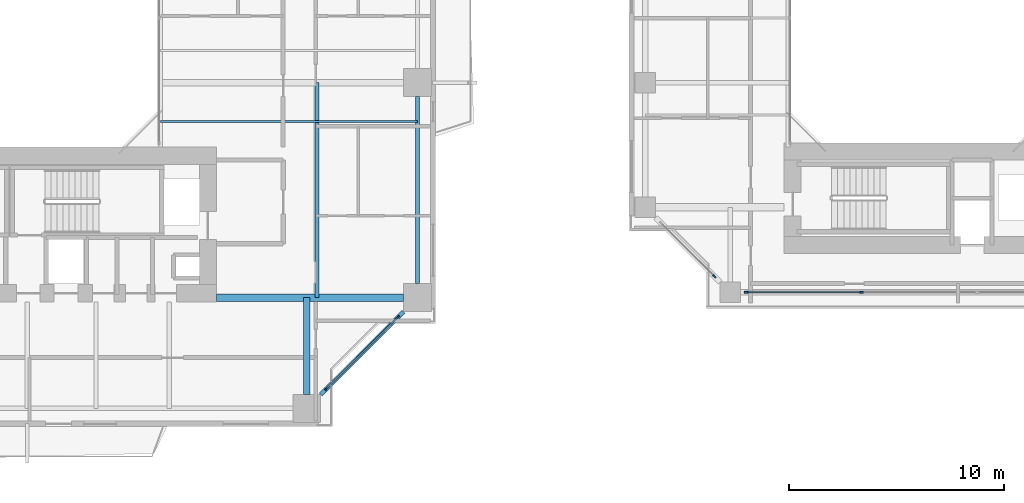
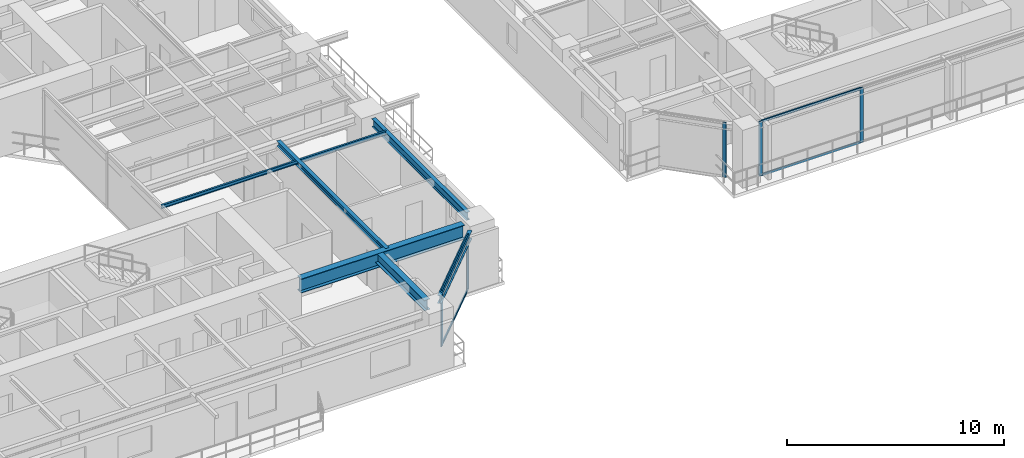
# One storey, part 5 of 23: 9 members, 6 beams, 3 elements without a shape of their own.
"""IFC4 building model written with IfcOpenShell, lengths in metres."""

from ifc_helpers import new_model, si_unit, direction, frame, origin, origin_2d, place, context, subcontext, project, spatial, rectangle, i_section, extrude, source, transform, mapped, material, layer, layer_set, material_profile, profile_set, type_object, element, aggregate, save


model = new_model("IFC4")

# Units and contexts
model_context = context("Model", 3, precision=1e-05, world=origin(), true_north=direction((0.0, 1.0)))
body_context = subcontext(model_context, "Body", "Model", "MODEL_VIEW")
ifc_project = project(units=[si_unit("LENGTHUNIT", "METRE"), si_unit("AREAUNIT", "SQUARE_METRE"), si_unit("VOLUMEUNIT", "CUBIC_METRE"), si_unit("PLANEANGLEUNIT", "RADIAN"), si_unit("MASSUNIT", "GRAM", prefix="KILO"), si_unit("THERMODYNAMICTEMPERATUREUNIT", "KELVIN"), si_unit("POWERUNIT", "WATT")], contexts=[model_context])

# Site, building, storey
site_placement = place(None, origin())
site = spatial("IfcSite", under=ifc_project, at=site_placement, CompositionType="ELEMENT")
building_placement = place(site_placement, origin())
building = spatial("IfcBuilding", under=site, at=building_placement, Name="Qiaomeng Ring Towers", CompositionType="ELEMENT")
storey_placement = place(building_placement, frame((0.0, 0.0, 32.75)))
storey = spatial("IfcBuildingStorey", under=building, at=storey_placement, Name="L08", CompositionType="ELEMENT", Elevation=32.75)

# Beams
ifc_material_1 = material(Name="Steel Q355B", Category="steel")
ifc_material_profile_1 = material_profile(ifc_material_1, i_section(OverallWidth=0.199951171875, OverallDepth=0.449951171875, WebThickness=0.009033203125, FlangeThickness=0.013916015625, FilletRadius=0.01806640625, at=origin_2d()), Name="HN 450x200x9x14")
ifc_profile_set_1 = profile_set([ifc_material_profile_1], Name="Steel Q355B")
beam_type_1 = type_object("IfcBeamType", Name="STR-BM-HN450", PredefinedType="SPANDREL", material=ifc_profile_set_1)
shared_shape_1 = source(origin(), body_context, "Body", "SweptSolid", [
    extrude(i_section(OverallWidth=0.199951171875, OverallDepth=0.449951171875, WebThickness=0.009033203125, FlangeThickness=0.013916015625, FilletRadius=0.01806640625, at=origin_2d()), origin(), (0.0, 0.0, 1.0), 5.446533203125),
])
beam_1_placement = place(storey_placement, frame((32.6494140625, 5.499267578125, 2.844970703125), z_axis=(0.707106781187, 0.707106781187, 0.0), x_axis=(-0.707106781187, 0.707106781187, 0.0)))
element("IfcBeam", 1, at=beam_1_placement, inside=storey, type_object=beam_type_1, Name="L08 beam STR-SP-L08-T1-S2-E1", PredefinedType="SPANDREL", context=body_context, shape_type="MappedRepresentation", body=[
    mapped(shared_shape_1, transform((0.0, 0.0, 0.0), x_axis=(1.0, 0.0, 0.0), y_axis=(0.0, 1.0, 0.0), z_axis=(0.0, 0.0, 1.0), scale=1.0)),
])
shared_shape_2 = source(origin(), body_context, "Body", "SweptSolid", [
    extrude(i_section(OverallWidth=0.199951171875, OverallDepth=0.449951171875, WebThickness=0.009033203125, FlangeThickness=0.013916015625, FilletRadius=0.01806640625, at=origin_2d()), origin(), (0.0, 0.0, 1.0), 8.7021484375),
])
beam_2_placement = place(storey_placement, frame((37.14990234375, 10.64892578125, 2.844970703125), z_axis=(0.0, 1.0, 0.0), x_axis=(-1.0, 0.0, 0.0)))
element("IfcBeam", 2, at=beam_2_placement, inside=storey, type_object=beam_type_1, Name="L08 beam STR-SP-L08-T1-E1-E2", PredefinedType="SPANDREL", context=body_context, shape_type="MappedRepresentation", body=[
    mapped(shared_shape_2, transform((0.0, 0.0, 0.0), x_axis=(1.0, 0.0, 0.0), y_axis=(0.0, 1.0, 0.0), z_axis=(0.0, 0.0, 1.0), scale=1.0)),
])
ifc_material_2 = material(Name="Steel Q390GJC", Category="steel")
ifc_material_profile_2 = material_profile(ifc_material_2, i_section(OverallWidth=0.35009765625, OverallDepth=0.800048828125, WebThickness=0.01611328125, FlangeThickness=0.028076171875, at=origin_2d()), Name="WH 800x350x16x28")
ifc_profile_set_2 = profile_set([ifc_material_profile_2], Name="Steel Q390GJC")
beam_type_2 = type_object("IfcBeamType", Name="STR-BM-WH800", PredefinedType="BEAM", material=ifc_profile_set_2)
shared_shape_3 = source(origin(), body_context, "Body", "SweptSolid", [
    extrude(i_section(OverallWidth=0.35009765625, OverallDepth=0.800048828125, WebThickness=0.01611328125, FlangeThickness=0.028076171875, at=origin_2d()), origin(), (0.0, 0.0, 1.0), 8.700927734375),
])
beam_3_placement = place(storey_placement, frame((27.800048828125, 10.0, 2.669921875), z_axis=(1.0, 0.0, 0.0), x_axis=(0.0, 1.0, 0.0)))
element("IfcBeam", 3, at=beam_3_placement, inside=storey, type_object=beam_type_2, Name="L08 beam STR-BM-L08-T1-RAD-E1", PredefinedType="BEAM", context=body_context, shape_type="MappedRepresentation", body=[
    mapped(shared_shape_3, transform((0.0, 0.0, 0.0), x_axis=(1.0, 0.0, 0.0), y_axis=(0.0, 1.0, 0.0), z_axis=(0.0, 0.0, 1.0), scale=1.0)),
])
ifc_material_profile_3 = material_profile(ifc_material_1, i_section(OverallWidth=0.300048828125, OverallDepth=0.587890625, WebThickness=0.011962890625, FlangeThickness=0.02001953125, FilletRadius=0.028076171875, at=origin_2d()), Name="HM 588x300x12x20")
ifc_profile_set_3 = profile_set([ifc_material_profile_3], Name="Steel Q355B")
beam_type_3 = type_object("IfcBeamType", Name="STR-BM-HM588", PredefinedType="BEAM", material=ifc_profile_set_3)
shared_shape_4 = source(origin(), body_context, "Body", "SweptSolid", [
    extrude(i_section(OverallWidth=0.300048828125, OverallDepth=0.587890625, WebThickness=0.011962890625, FlangeThickness=0.02001953125, FilletRadius=0.028076171875, at=origin_2d()), origin(), (0.0, 0.0, 1.0), 4.5009765625),
])
beam_4_placement = place(storey_placement, frame((32.0, 5.4990234375, 2.77587890625), z_axis=(0.0, 1.0, 0.0), x_axis=(-1.0, 0.0, 0.0)))
element("IfcBeam", 4, at=beam_4_placement, inside=storey, type_object=beam_type_3, Name="L08 beam STR-BM-L08-T1-RAD-S2", PredefinedType="BEAM", context=body_context, shape_type="MappedRepresentation", body=[
    mapped(shared_shape_4, transform((0.0, 0.0, 0.0), x_axis=(1.0, 0.0, 0.0), y_axis=(0.0, 1.0, 0.0), z_axis=(0.0, 0.0, 1.0), scale=1.0)),
])
ifc_material_profile_4 = material_profile(ifc_material_1, i_section(OverallWidth=0.10009765625, OverallDepth=0.199951171875, WebThickness=0.005615234375, FlangeThickness=0.008056640625, FilletRadius=0.010986328125, at=origin_2d()), Name="HN 200x100x5.5x8")
ifc_profile_set_4 = profile_set([ifc_material_profile_4], Name="Steel Q355B")
beam_type_4 = type_object("IfcBeamType", Name="STR-BM-HN200", PredefinedType="JOIST", material=ifc_profile_set_4)
shared_shape_5 = source(origin(), body_context, "Body", "SweptSolid", [
    extrude(i_section(OverallWidth=0.10009765625, OverallDepth=0.199951171875, WebThickness=0.005615234375, FlangeThickness=0.008056640625, FilletRadius=0.010986328125, at=origin_2d()), origin(), (0.0, 0.0, 1.0), 11.949951171875),
])
beam_5_placement = place(storey_placement, frame((25.199951171875, 18.199951171875, 2.969970703125), z_axis=(1.0, 0.0, 0.0), x_axis=(0.0, 1.0, 0.0)))
element("IfcBeam", 5, at=beam_5_placement, inside=storey, type_object=beam_type_4, Name="L08 beam STR-JST-L08-T1E-1", PredefinedType="JOIST", context=body_context, shape_type="MappedRepresentation", body=[
    mapped(shared_shape_5, transform((0.0, 0.0, 0.0), x_axis=(1.0, 0.0, 0.0), y_axis=(0.0, 1.0, 0.0), z_axis=(0.0, 0.0, 1.0), scale=1.0)),
])
ifc_material_profile_5 = material_profile(ifc_material_1, i_section(OverallWidth=0.199951171875, OverallDepth=0.2939453125, WebThickness=0.008056640625, FlangeThickness=0.011962890625, FilletRadius=0.01806640625, at=origin_2d()), Name="HM 294x200x8x12")
ifc_profile_set_5 = profile_set([ifc_material_profile_5], Name="Steel Q355B")
beam_type_5 = type_object("IfcBeamType", Name="STR-BM-HM294", PredefinedType="JOIST", material=ifc_profile_set_5)
shared_shape_6 = source(origin(), body_context, "Body", "SweptSolid", [
    extrude(i_section(OverallWidth=0.199951171875, OverallDepth=0.2939453125, WebThickness=0.008056640625, FlangeThickness=0.011962890625, FilletRadius=0.01806640625, at=origin_2d()), origin(), (0.0, 0.0, 1.0), 10.0),
])
beam_6_placement = place(storey_placement, frame((32.47509765625, 10.0, 2.923095703125), z_axis=(0.0, 1.0, 0.0), x_axis=(-1.0, 0.0, 0.0)))
element("IfcBeam", 6, at=beam_6_placement, inside=storey, type_object=beam_type_5, Name="L08 beam STR-JST-L08-T1C-ES", PredefinedType="JOIST", context=body_context, shape_type="MappedRepresentation", body=[
    mapped(shared_shape_6, transform((0.0, 0.0, 0.0), x_axis=(1.0, 0.0, 0.0), y_axis=(0.0, 1.0, 0.0), z_axis=(0.0, 0.0, 1.0), scale=1.0)),
])

# Curtain wall, members
ifc_material_3 = material(Name="Fluorocarbon dark-grey aluminium", Category="aluminium")
ifc_layer_1 = layer(ifc_material_3, 0.159912109375, Name="Fluorocarbon dark-grey aluminium")
ifc_layer_set_1 = layer_set([ifc_layer_1], Name="Fluorocarbon dark-grey aluminium")
curtain_wall_type_1 = type_object("IfcCurtainWallType", Name="ARC-CW-2", PredefinedType="NOTDEFINED", material=ifc_layer_set_1)
curtain_wall_1_placement = place(storey_placement, origin())
curtain_wall_1 = element("IfcCurtainWall", 7, at=curtain_wall_1_placement, inside=storey, type_object=curtain_wall_type_1, Name="L08 Curtain Wall CW2", PredefinedType="NOTDEFINED")
ifc_material_profile_6 = material_profile(ifc_material_3, rectangle(XDim=0.070068359375, YDim=0.179931640625, at=origin_2d()), Name="ALU MULL 70x180")
ifc_profile_set_6 = profile_set([ifc_material_profile_6], Name="Fluorocarbon dark-grey aluminium")
member_type_1 = type_object("IfcMemberType", Name="ARC-CWM-160", PredefinedType="MULLION", material=ifc_profile_set_6)
shared_shape_7 = source(origin(), body_context, "Body", "SweptSolid", [
    extrude(rectangle(XDim=0.070068359375, YDim=0.179931640625, at=origin_2d()), origin(), (0.0, 0.0, 1.0), 3.070068359375),
])
member_1_placement = place(storey_placement, frame((32.914794921875, 5.7646484375, 0.0), z_axis=(0.0, 0.0, 1.0), x_axis=(-0.707106781187, 0.707106781187, 0.0)))
member_1 = element("IfcMember", 8, at=member_1_placement, type_object=member_type_1, Name="CW2 mullion 1", PredefinedType="MULLION", context=body_context, shape_type="MappedRepresentation", body=[
    mapped(shared_shape_7, transform((0.0, 0.0, 0.0), x_axis=(1.0, 0.0, 0.0), y_axis=(0.0, 1.0, 0.0), z_axis=(0.0, 0.0, 1.0), scale=1.0)),
])
member_2_placement = place(storey_placement, frame((36.2353515625, 9.085205078125, 0.0), z_axis=(0.0, 0.0, 1.0), x_axis=(-0.707106781187, 0.707106781187, 0.0)))
member_2 = element("IfcMember", 9, at=member_2_placement, type_object=member_type_1, Name="CW2 mullion 2", PredefinedType="MULLION", context=body_context, shape_type="MappedRepresentation", body=[
    mapped(shared_shape_7, transform((0.0, 0.0, 0.0), x_axis=(1.0, 0.0, 0.0), y_axis=(0.0, 1.0, 0.0), z_axis=(0.0, 0.0, 1.0), scale=1.0)),
])

# Curtain wall, member
ifc_layer_2 = layer(ifc_material_3, 0.14990234375, Name="Fluorocarbon dark-grey aluminium")
ifc_layer_set_2 = layer_set([ifc_layer_2], Name="Fluorocarbon dark-grey aluminium")
curtain_wall_type_2 = type_object("IfcCurtainWallType", Name="ARC-CW-5", PredefinedType="NOTDEFINED", material=ifc_layer_set_2)
curtain_wall_2_placement = place(storey_placement, origin())
curtain_wall_2 = element("IfcCurtainWall", 10, at=curtain_wall_2_placement, inside=storey, type_object=curtain_wall_type_2, Name="L08 Curtain Wall CW5", PredefinedType="NOTDEFINED")
member_3_placement = place(storey_placement, frame((50.960205078125, 10.98974609375, 0.0), z_axis=(0.0, 0.0, 1.0), x_axis=(0.707106781187, 0.707106781187, 0.0)))
member_3 = element("IfcMember", 11, at=member_3_placement, type_object=member_type_1, Name="CW5 mullion 2", PredefinedType="MULLION", context=body_context, shape_type="MappedRepresentation", body=[
    mapped(shared_shape_7, transform((0.0, 0.0, 0.0), x_axis=(1.0, 0.0, 0.0), y_axis=(0.0, 1.0, 0.0), z_axis=(0.0, 0.0, 1.0), scale=1.0)),
])
aggregate(curtain_wall_2, [member_3])

# Curtain wall, members
curtain_wall_3_placement = place(storey_placement, origin())
curtain_wall_3 = element("IfcCurtainWall", 12, at=curtain_wall_3_placement, inside=storey, type_object=curtain_wall_type_2, Name="L08 Curtain Wall CW5", PredefinedType="NOTDEFINED")
member_4_placement = place(storey_placement, frame((52.449951171875, 10.25, 0.0), z_axis=(0.0, 0.0, 1.0), x_axis=(0.0, 1.0, 0.0)))
member_4 = element("IfcMember", 13, at=member_4_placement, type_object=member_type_1, Name="CW5 mullion 1", PredefinedType="MULLION", context=body_context, shape_type="MappedRepresentation", body=[
    mapped(shared_shape_7, transform((0.0, 0.0, 0.0), x_axis=(1.0, 0.0, 0.0), y_axis=(0.0, 1.0, 0.0), z_axis=(0.0, 0.0, 1.0), scale=1.0)),
])
member_5_placement = place(storey_placement, frame((57.804931640625, 10.25, 0.0), z_axis=(0.0, 0.0, 1.0), x_axis=(0.0, 1.0, 0.0)))
member_5 = element("IfcMember", 14, at=member_5_placement, type_object=member_type_1, Name="CW5 mullion 2", PredefinedType="MULLION", context=body_context, shape_type="MappedRepresentation", body=[
    mapped(shared_shape_7, transform((0.0, 0.0, 0.0), x_axis=(1.0, 0.0, 0.0), y_axis=(0.0, 1.0, 0.0), z_axis=(0.0, 0.0, 1.0), scale=1.0)),
])

# Member
ifc_material_profile_7 = material_profile(ifc_material_3, rectangle(XDim=0.06494140625, YDim=0.1298828125, at=origin_2d()), Name="ALU TRAN 65x130")
ifc_profile_set_7 = profile_set([ifc_material_profile_7], Name="Fluorocarbon dark-grey aluminium")
member_type_2 = type_object("IfcMemberType", Name="ARC-CWT-120", PredefinedType="USERDEFINED", material=ifc_profile_set_7)
shared_shape_8 = source(origin(), body_context, "Body", "SweptSolid", [
    extrude(rectangle(XDim=0.06494140625, YDim=0.1298828125, at=origin_2d()), origin(), (0.0, 0.0, 1.0), 4.6259765625),
])
member_6_placement = place(storey_placement, frame((32.939453125, 5.78955078125, 0.032470703125), z_axis=(0.707106781187, 0.707106781187, 0.0), x_axis=(-0.707106781187, 0.707106781187, 0.0)))
member_6 = element("IfcMember", 15, at=member_6_placement, type_object=member_type_2, Name="CW2 transom 1.1", ObjectType="TRANSOM", PredefinedType="USERDEFINED", context=body_context, shape_type="MappedRepresentation", body=[
    mapped(shared_shape_8, transform((0.0, 0.0, 0.0), x_axis=(1.0, 0.0, 0.0), y_axis=(0.0, 1.0, 0.0), z_axis=(0.0, 0.0, 1.0), scale=1.0)),
])

member_7_placement = place(storey_placement, frame((32.939453125, 5.78955078125, 3.03759765625), z_axis=(0.707106781187, 0.707106781187, 0.0), x_axis=(-0.707106781187, 0.707106781187, 0.0)))
member_7 = element("IfcMember", 16, at=member_7_placement, type_object=member_type_2, Name="CW2 transom 1.2", ObjectType="TRANSOM", PredefinedType="USERDEFINED", context=body_context, shape_type="MappedRepresentation", body=[
    mapped(shared_shape_8, transform((0.0, 0.0, 0.0), x_axis=(1.0, 0.0, 0.0), y_axis=(0.0, 1.0, 0.0), z_axis=(0.0, 0.0, 1.0), scale=1.0)),
])

aggregate(curtain_wall_1, [member_1, member_2, member_6, member_7])

shared_shape_9 = source(origin(), body_context, "Body", "SweptSolid", [
    extrude(rectangle(XDim=0.06494140625, YDim=0.1298828125, at=origin_2d()), origin(), (0.0, 0.0, 1.0), 5.284912109375),
])
member_8_placement = place(storey_placement, frame((52.485107421875, 10.25, 0.032470703125), z_axis=(1.0, 0.0, 0.0), x_axis=(0.0, 1.0, 0.0)))
member_8 = element("IfcMember", 17, at=member_8_placement, type_object=member_type_2, Name="CW5 transom 1.1", ObjectType="TRANSOM", PredefinedType="USERDEFINED", context=body_context, shape_type="MappedRepresentation", body=[
    mapped(shared_shape_9, transform((0.0, 0.0, 0.0), x_axis=(1.0, 0.0, 0.0), y_axis=(0.0, 1.0, 0.0), z_axis=(0.0, 0.0, 1.0), scale=1.0)),
])

member_9_placement = place(storey_placement, frame((52.485107421875, 10.25, 3.03759765625), z_axis=(1.0, 0.0, 0.0), x_axis=(0.0, 1.0, 0.0)))
member_9 = element("IfcMember", 18, at=member_9_placement, type_object=member_type_2, Name="CW5 transom 1.2", ObjectType="TRANSOM", PredefinedType="USERDEFINED", context=body_context, shape_type="MappedRepresentation", body=[
    mapped(shared_shape_9, transform((0.0, 0.0, 0.0), x_axis=(1.0, 0.0, 0.0), y_axis=(0.0, 1.0, 0.0), z_axis=(0.0, 0.0, 1.0), scale=1.0)),
])

aggregate(curtain_wall_3, [member_4, member_5, member_8, member_9])

save(model, "model.ifc")
